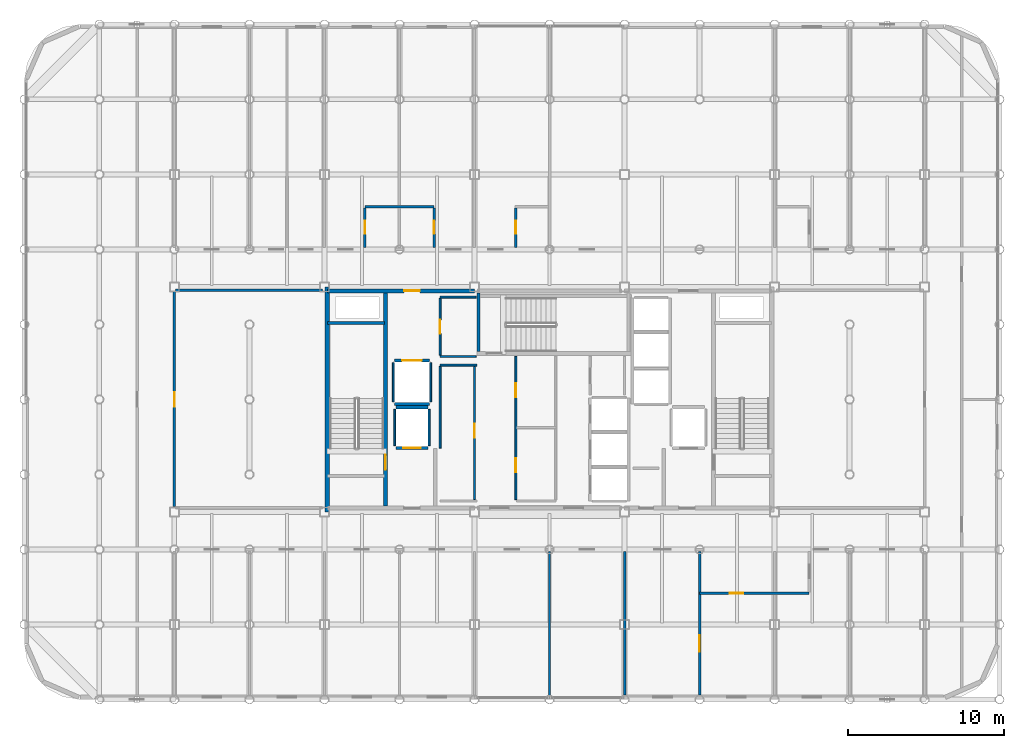
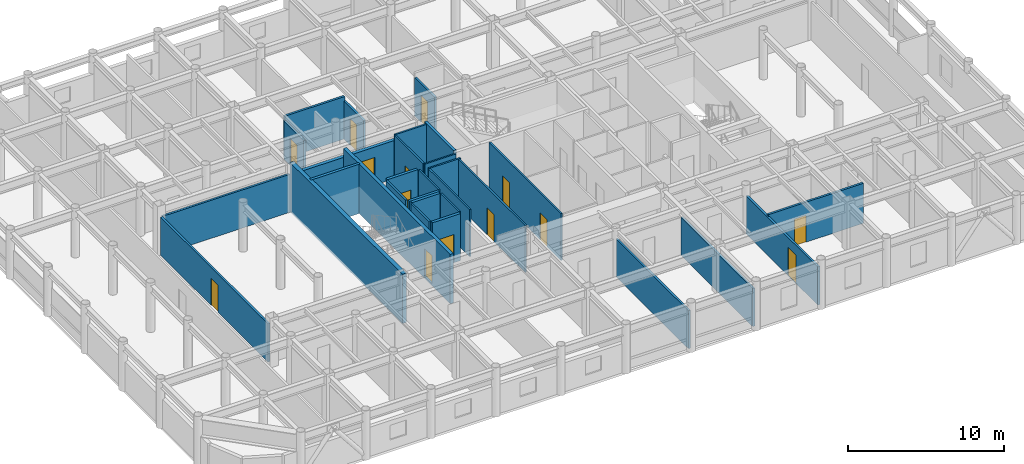
# One storey, part 18 of 22: 30 walls, 14 doors, 14 openings.
"""IFC4 building model written with IfcOpenShell, lengths in metres."""

from ifc_helpers import new_model, si_unit, direction, frame, frame_2d, origin, place, context, subcontext, project, spatial, rectangle, extrude, material, layer, layer_set, type_object, element, fill, save


model = new_model("IFC4")

# Units and contexts
model_context = context("Model", 3, precision=1e-05, world=origin(), true_north=direction((0.0, 1.0)))
body_context = subcontext(model_context, "Body", "Model", "MODEL_VIEW")
ifc_project = project(units=[si_unit("LENGTHUNIT", "METRE"), si_unit("AREAUNIT", "SQUARE_METRE"), si_unit("VOLUMEUNIT", "CUBIC_METRE"), si_unit("PLANEANGLEUNIT", "RADIAN"), si_unit("MASSUNIT", "GRAM", prefix="KILO")], contexts=[model_context])

# Site, building, storey
site_placement = place(None, origin())
site = spatial("IfcSite", under=ifc_project, at=site_placement, CompositionType="ELEMENT")
building_placement = place(site_placement, origin())
building = spatial("IfcBuilding", under=site, at=building_placement, Name="Kallvorn Hotel Tower", CompositionType="ELEMENT")
storey_placement = place(building_placement, frame((0.0, 0.0, 253.10009765625)))
storey = spatial("IfcBuildingStorey", under=building, at=storey_placement, Name="L63", CompositionType="ELEMENT", Elevation=253.10009765625)

# Wall
ifc_material_1 = material(Name="Concrete C50/60", Category="concrete")
ifc_layer_1 = layer(ifc_material_1, 0.300048828125)
ifc_layer_set_1 = layer_set([ifc_layer_1], Name="WL_CORE_300")
wall_type_1 = type_object("IfcWallType", Name="WL_CORE_300", PredefinedType="SHEAR", material=ifc_layer_set_1)
wall_1_placement = place(storey_placement, frame((-14.215087890625, -7.199951171875, -0.18017578125), z_axis=(0.0, 0.0, 1.0), x_axis=(0.0, 1.0, 0.0)))
element("IfcWall", 1, at=wall_1_placement, inside=storey, type_object=wall_type_1, Name="L63 Core West Shear Wall", PredefinedType="SHEAR", context=body_context, shape_type="SweptSolid", body=[
    extrude(rectangle(XDim=14.39990234375, YDim=0.300048828125, at=frame_2d((7.199951171875, 0.0))), origin(), (0.0, 0.0, 1.0), 3.85009765625),
])

# Wall, opening, door
ifc_material_2 = material(Name="Fire-rated double-layer acoustic gypsum drywall EI 60")
ifc_layer_2 = layer(ifc_material_2, 0.159912109375)
ifc_layer_set_2 = layer_set([ifc_layer_2], Name="WL_DEMISE_160")
wall_type_2 = type_object("IfcWallType", Name="WL_DEMISE_160", PredefinedType="PARTITIONING", material=ifc_layer_set_2)
wall_2_placement = place(storey_placement, frame((9.60009765625, -12.39501953125, 0.0), z_axis=(0.0, 0.0, 1.0), x_axis=(1.0, 0.0, 0.0)))
wall_2 = element("IfcWall", 2, at=wall_2_placement, inside=storey, type_object=wall_type_2, Name="L63 Suite 6301 Executive Bedroom Partition", PredefinedType="PARTITIONING", context=body_context, shape_type="SweptSolid", body=[
    extrude(rectangle(XDim=7.010009765625, YDim=0.159912109375, at=frame_2d((3.5048828125, 0.0))), origin(), (0.0, 0.0, 1.0), 3.119873046875),
])
opening_1_placement = place(wall_2_placement, frame((1.929931640625, 0.0, 0.0)))
opening_1 = element("IfcOpeningElement", 3, at=opening_1_placement, cuts=wall_2, Name="Opening BD-I", PredefinedType="OPENING", context=body_context, shape_type="SweptSolid", body=[
    extrude(rectangle(XDim=0.860107421875, YDim=2.10009765625, at=frame_2d((0.43017578125, 1.050048828125))), frame((0.0, 0.094970703125, 0.0), z_axis=(0.0, -1.0, 0.0), x_axis=(1.0, 0.0, 0.0)), (0.0, 0.0, 1.0), 0.18994140625),
])
ifc_material_3 = material(Name="Solid-core walnut veneer fire-rated timber door leaf", Category="wood")
door_type_1 = type_object("IfcDoorType", Name="DR_BATH_860x2100", OperationType="NOTDEFINED", PredefinedType="DOOR", material=ifc_material_3)
door_1_placement = place(opening_1_placement, origin())
door_1 = element("IfcDoor", 4, at=door_1_placement, inside=storey, type_object=door_type_1, Name="L63 Suite 6301 En-Suite Bathroom Door", OperationType="SINGLE_SWING_RIGHT", OverallHeight=2.10009765625, OverallWidth=0.860107421875, PredefinedType="DOOR", context=body_context, shape_type="SweptSolid", body=[
    extrude(rectangle(XDim=0.860107421875, YDim=2.10009765625, at=frame_2d((0.43017578125, 1.050048828125))), frame((0.0, 0.02490234375, 0.0), z_axis=(0.0, -1.0, 0.0), x_axis=(1.0, 0.0, 0.0)), (0.0, 0.0, 1.0), 0.050048828125),
])
fill(opening_1, door_1)

# Wall
wall_3_placement = place(storey_placement, frame((-11.81005859375, 12.320068359375, 0.0), z_axis=(0.0, 0.0, 1.0), x_axis=(1.0, 0.0, 0.0)))
element("IfcWall", 5, at=wall_3_placement, inside=storey, type_object=wall_type_2, Name="L63 Suite 6303 Standard Twin Room Partition", PredefinedType="PARTITIONING", context=body_context, shape_type="SweptSolid", body=[
    extrude(rectangle(XDim=4.420166015625, YDim=0.159912109375, at=frame_2d((2.2099609375, 0.0))), origin(), (0.0, 0.0, 1.0), 3.309814453125),
])

# Wall, opening, door
wall_4_placement = place(storey_placement, frame((-11.81005859375, 9.719970703125, 0.0), z_axis=(0.0, 0.0, 1.0), x_axis=(0.0, 1.0, 0.0)))
wall_4 = element("IfcWall", 6, at=wall_4_placement, inside=storey, type_object=wall_type_2, Name="L63 Suite 6303 Standard Twin Room Partition", PredefinedType="PARTITIONING", context=body_context, shape_type="SweptSolid", body=[
    extrude(rectangle(XDim=2.51513671875, YDim=0.159912109375, at=frame_2d((1.257568359375, 0.0))), origin(), (0.0, 0.0, 1.0), 2.969970703125),
])
opening_2_placement = place(wall_4_placement, frame((0.8701171875, 0.0, 0.0)))
opening_2 = element("IfcOpeningElement", 7, at=opening_2_placement, cuts=wall_4, Name="Opening BD-I", PredefinedType="OPENING", context=body_context, shape_type="SweptSolid", body=[
    extrude(rectangle(XDim=0.860107421875, YDim=2.10009765625, at=frame_2d((0.43017578125, 1.050048828125))), frame((0.0, 0.094970703125, 0.0), z_axis=(0.0, -1.0, 0.0), x_axis=(1.0, 0.0, 0.0)), (0.0, 0.0, 1.0), 0.18994140625),
])
door_2_placement = place(opening_2_placement, origin())
door_2 = element("IfcDoor", 8, at=door_2_placement, inside=storey, type_object=door_type_1, Name="L63 Suite 6303 En-Suite Bathroom Door", OperationType="SINGLE_SWING_RIGHT", OverallHeight=2.10009765625, OverallWidth=0.860107421875, PredefinedType="DOOR", context=body_context, shape_type="SweptSolid", body=[
    extrude(rectangle(XDim=0.860107421875, YDim=2.10009765625, at=frame_2d((0.43017578125, 1.050048828125))), frame((0.0, 0.02490234375, 0.0), z_axis=(0.0, -1.0, 0.0), x_axis=(1.0, 0.0, 0.0)), (0.0, 0.0, 1.0), 0.050048828125),
])
fill(opening_2, door_2)

wall_5_placement = place(storey_placement, frame((-7.389892578125, 9.719970703125, 0.0), z_axis=(0.0, 0.0, 1.0), x_axis=(0.0, 1.0, 0.0)))
wall_5 = element("IfcWall", 9, at=wall_5_placement, inside=storey, type_object=wall_type_2, Name="L63 Suite 6304 Standard Twin Room Partition", PredefinedType="PARTITIONING", context=body_context, shape_type="SweptSolid", body=[
    extrude(rectangle(XDim=2.51513671875, YDim=0.159912109375, at=frame_2d((1.257568359375, 0.0))), origin(), (0.0, 0.0, 1.0), 2.969970703125),
])
opening_3_placement = place(wall_5_placement, frame((0.8701171875, 0.0, 0.0)))
opening_3 = element("IfcOpeningElement", 10, at=opening_3_placement, cuts=wall_5, Name="Opening BD-I", PredefinedType="OPENING", context=body_context, shape_type="SweptSolid", body=[
    extrude(rectangle(XDim=0.860107421875, YDim=2.10009765625, at=frame_2d((0.43017578125, 1.050048828125))), frame((0.0, 0.094970703125, 0.0), z_axis=(0.0, -1.0, 0.0), x_axis=(1.0, 0.0, 0.0)), (0.0, 0.0, 1.0), 0.18994140625),
])
door_3_placement = place(opening_3_placement, origin())
door_3 = element("IfcDoor", 11, at=door_3_placement, inside=storey, type_object=door_type_1, Name="L63 Suite 6304 En-Suite Bathroom Door", OperationType="SINGLE_SWING_RIGHT", OverallHeight=2.10009765625, OverallWidth=0.860107421875, PredefinedType="DOOR", context=body_context, shape_type="SweptSolid", body=[
    extrude(rectangle(XDim=0.860107421875, YDim=2.10009765625, at=frame_2d((0.43017578125, 1.050048828125))), frame((0.0, 0.02490234375, 0.0), z_axis=(0.0, -1.0, 0.0), x_axis=(1.0, 0.0, 0.0)), (0.0, 0.0, 1.0), 0.050048828125),
])
fill(opening_3, door_3)

wall_6_placement = place(storey_placement, frame((-2.155029296875, 9.719970703125, 0.0), z_axis=(0.0, 0.0, 1.0), x_axis=(0.0, 1.0, 0.0)))
wall_6 = element("IfcWall", 12, at=wall_6_placement, inside=storey, type_object=wall_type_2, Name="L63 Suite 6305 Standard Twin Room Partition", PredefinedType="PARTITIONING", context=body_context, shape_type="SweptSolid", body=[
    extrude(rectangle(XDim=2.51513671875, YDim=0.159912109375, at=frame_2d((1.257568359375, 0.0))), origin(), (0.0, 0.0, 1.0), 2.969970703125),
])
opening_4_placement = place(wall_6_placement, frame((0.8701171875, 0.0, 0.0)))
opening_4 = element("IfcOpeningElement", 13, at=opening_4_placement, cuts=wall_6, Name="Opening BD-I", PredefinedType="OPENING", context=body_context, shape_type="SweptSolid", body=[
    extrude(rectangle(XDim=0.860107421875, YDim=2.10009765625, at=frame_2d((0.43017578125, 1.050048828125))), frame((0.0, 0.094970703125, 0.0), z_axis=(0.0, -1.0, 0.0), x_axis=(1.0, 0.0, 0.0)), (0.0, 0.0, 1.0), 0.18994140625),
])
door_4_placement = place(opening_4_placement, origin())
door_4 = element("IfcDoor", 14, at=door_4_placement, inside=storey, type_object=door_type_1, Name="L63 Suite 6305 En-Suite Bathroom Door", OperationType="SINGLE_SWING_LEFT", OverallHeight=2.10009765625, OverallWidth=0.860107421875, PredefinedType="DOOR", context=body_context, shape_type="SweptSolid", body=[
    extrude(rectangle(XDim=0.860107421875, YDim=2.10009765625, at=frame_2d((0.43017578125, 1.050048828125))), frame((0.0, 0.02490234375, 0.0), z_axis=(0.0, -1.0, 0.0), x_axis=(1.0, 0.0, 0.0)), (0.0, 0.0, 1.0), 0.050048828125),
])
fill(opening_4, door_4)

# Wall
wall_7_placement = place(storey_placement, frame((4.800048828125, -18.909912109375, 0.0), z_axis=(0.0, 0.0, 1.0), x_axis=(0.0, 1.0, 0.0)))
element("IfcWall", 15, at=wall_7_placement, inside=storey, type_object=wall_type_2, Name="L63 Suite 6301 Executive Living Salon Partition", PredefinedType="PARTITIONING", context=body_context, shape_type="SweptSolid", body=[
    extrude(rectangle(XDim=9.18994140625, YDim=0.159912109375, at=frame_2d((4.594970703125, 0.0))), origin(), (0.0, 0.0, 1.0), 2.969970703125),
])

# Wall, opening, door
wall_8_placement = place(storey_placement, frame((9.60009765625, -18.909912109375, 0.0), z_axis=(0.0, 0.0, 1.0), x_axis=(0.0, 1.0, 0.0)))
wall_8 = element("IfcWall", 16, at=wall_8_placement, inside=storey, type_object=wall_type_2, Name="L63 Suite 6301 Executive Bedroom Partition", PredefinedType="PARTITIONING", context=body_context, shape_type="SweptSolid", body=[
    extrude(rectangle(XDim=9.18994140625, YDim=0.159912109375, at=frame_2d((4.594970703125, 0.0))), origin(), (0.0, 0.0, 1.0), 2.969970703125),
])
opening_5_placement = place(wall_8_placement, frame((2.77490234375, 0.0, 0.0)))
opening_5 = element("IfcOpeningElement", 17, at=opening_5_placement, cuts=wall_8, Name="Opening GD2", PredefinedType="OPENING", context=body_context, shape_type="SweptSolid", body=[
    extrude(rectangle(XDim=1.050048828125, YDim=2.199951171875, at=frame_2d((0.52490234375, 1.10009765625))), frame((0.0, 0.094970703125, 0.0), z_axis=(0.0, -1.0, 0.0), x_axis=(1.0, 0.0, 0.0)), (0.0, 0.0, 1.0), 0.18994140625),
])
ifc_material_4 = material(Name="Solid-core walnut veneer fire-rated timber door leaf", Category="wood")
door_type_2 = type_object("IfcDoorType", Name="DR_SUITE_1050x2200", OperationType="NOTDEFINED", PredefinedType="DOOR", material=ifc_material_4)
door_5_placement = place(opening_5_placement, origin())
door_5 = element("IfcDoor", 18, at=door_5_placement, inside=storey, type_object=door_type_2, Name="L63 Suite 6301 Executive Bedroom Door", OperationType="SINGLE_SWING_LEFT", OverallHeight=2.199951171875, OverallWidth=1.050048828125, PredefinedType="DOOR", context=body_context, shape_type="SweptSolid", body=[
    extrude(rectangle(XDim=1.050048828125, YDim=2.199951171875, at=frame_2d((0.52490234375, 1.10009765625))), frame((0.0, 0.02490234375, 0.0), z_axis=(0.0, -1.0, 0.0), x_axis=(1.0, 0.0, 0.0)), (0.0, 0.0, 1.0), 0.050048828125),
])
fill(opening_5, door_5)

# Walls
ifc_material_5 = material(Name="Concrete C40/50", Category="concrete")
ifc_layer_3 = layer(ifc_material_5, 0.199951171875)
ifc_layer_set_3 = layer_set([ifc_layer_3], Name="WL_HOIST_200")
wall_type_3 = type_object("IfcWallType", Name="WL_HOIST_200", PredefinedType="SOLIDWALL", material=ifc_layer_set_3)
wall_9_placement = place(storey_placement, frame((-14.199951171875, 4.89990234375, -0.18017578125), z_axis=(0.0, 0.0, 1.0), x_axis=(1.0, 0.0, 0.0)))
element("IfcWall", 19, at=wall_9_placement, inside=storey, type_object=wall_type_3, Name="L63 Stair ST1 North Wall", PredefinedType="SOLIDWALL", context=body_context, shape_type="SweptSolid", body=[
    extrude(rectangle(XDim=3.64990234375, YDim=0.199951171875, at=frame_2d((1.824951171875, 0.0))), origin(), (0.0, 0.0, 1.0), 3.85009765625),
])
wall_10_placement = place(storey_placement, frame((-4.550048828125, 3.080078125, -0.18017578125), z_axis=(0.0, 0.0, 1.0), x_axis=(0.0, 1.0, 0.0)))
element("IfcWall", 20, at=wall_10_placement, inside=storey, type_object=wall_type_3, Name="L63 Stair ST3 West Wall", PredefinedType="SOLIDWALL", context=body_context, shape_type="SweptSolid", body=[
    extrude(rectangle(XDim=3.739990234375, YDim=0.199951171875, at=frame_2d((1.8701171875, 0.0))), origin(), (0.0, 0.0, 1.0), 3.85009765625),
])

# Wall, opening, door
wall_11_placement = place(storey_placement, frame((-9.820068359375, -3.10009765625, 0.0), z_axis=(0.0, 0.0, 1.0), x_axis=(1.0, 0.0, 0.0)))
wall_11 = element("IfcWall", 21, at=wall_11_placement, inside=storey, type_object=wall_type_3, Name="L63 FL-1 Landing Wall", PredefinedType="SOLIDWALL", context=body_context, shape_type="SweptSolid", body=[
    extrude(rectangle(XDim=2.0400390625, YDim=0.199951171875, at=frame_2d((1.02001953125, 0.0))), origin(), (0.0, 0.0, 1.0), 3.669921875),
])
opening_6_placement = place(wall_11_placement, frame((0.469970703125, 0.0, 0.0)))
opening_6 = element("IfcOpeningElement", 22, at=opening_6_placement, cuts=wall_11, Name="Opening LD-FL-1", PredefinedType="OPENING", context=body_context, shape_type="SweptSolid", body=[
    extrude(rectangle(XDim=1.10009765625, YDim=2.199951171875, at=frame_2d((0.550048828125, 1.10009765625))), frame((0.0, 0.114990234375, 0.0), z_axis=(0.0, -1.0, 0.0), x_axis=(1.0, 0.0, 0.0)), (0.0, 0.0, 1.0), 0.22998046875),
])
ifc_material_6 = material(Name="Brushed stainless-steel automatic sliding lift landing door", Category="steel")
door_type_3 = type_object("IfcDoorType", Name="LD_PASS_1100x2200", OperationType="SLIDING_TO_LEFT", PredefinedType="DOOR", material=ifc_material_6)
door_6_placement = place(opening_6_placement, origin())
door_6 = element("IfcDoor", 23, at=door_6_placement, inside=storey, type_object=door_type_3, Name="L63 Lift Landing Sliding Door LD-FL-1", OperationType="SLIDING_TO_LEFT", OverallHeight=2.199951171875, OverallWidth=1.10009765625, PredefinedType="DOOR", context=body_context, shape_type="SweptSolid", body=[
    extrude(rectangle(XDim=1.10009765625, YDim=2.199951171875, at=frame_2d((0.550048828125, 1.10009765625))), frame((0.0, 0.02490234375, 0.0), z_axis=(0.0, -1.0, 0.0), x_axis=(1.0, 0.0, 0.0)), (0.0, 0.0, 1.0), 0.050048828125),
])
fill(opening_6, door_6)

# Wall
wall_12_placement = place(storey_placement, frame((-9.820068359375, -0.5, 0.0), z_axis=(0.0, 0.0, 1.0), x_axis=(1.0, 0.0, 0.0)))
element("IfcWall", 24, at=wall_12_placement, inside=storey, type_object=wall_type_3, Name="L63 FL-1 Rear Shaft Wall", PredefinedType="SOLIDWALL", context=body_context, shape_type="SweptSolid", body=[
    extrude(rectangle(XDim=2.0400390625, YDim=0.199951171875, at=frame_2d((1.02001953125, 0.0))), origin(), (0.0, 0.0, 1.0), 3.669921875),
])

# Wall, opening, door
wall_13_placement = place(storey_placement, frame((-9.919921875, 2.5, 0.0), z_axis=(0.0, 0.0, 1.0), x_axis=(1.0, 0.0, 0.0)))
wall_13 = element("IfcWall", 25, at=wall_13_placement, inside=storey, type_object=wall_type_3, Name="L63 SV-01 Landing Wall", PredefinedType="SOLIDWALL", context=body_context, shape_type="SweptSolid", body=[
    extrude(rectangle(XDim=2.239990234375, YDim=0.199951171875, at=frame_2d((1.1201171875, 0.0))), origin(), (0.0, 0.0, 1.0), 3.669921875),
])
opening_7_placement = place(wall_13_placement, frame((0.4951171875, 0.0, 0.0)))
opening_7 = element("IfcOpeningElement", 26, at=opening_7_placement, cuts=wall_13, Name="Opening LD-SV-01", PredefinedType="OPENING", context=body_context, shape_type="SweptSolid", body=[
    extrude(rectangle(XDim=1.25, YDim=2.25, at=frame_2d((0.625, 1.125))), frame((0.0, 0.114990234375, 0.0), z_axis=(0.0, -1.0, 0.0), x_axis=(1.0, 0.0, 0.0)), (0.0, 0.0, 1.0), 0.22998046875),
])
ifc_material_7 = material(Name="Brushed stainless-steel automatic sliding lift landing door", Category="steel")
door_type_4 = type_object("IfcDoorType", Name="LD_SERV_1250x2250", OperationType="SLIDING_TO_LEFT", PredefinedType="DOOR", material=ifc_material_7)
door_7_placement = place(opening_7_placement, origin())
door_7 = element("IfcDoor", 27, at=door_7_placement, inside=storey, type_object=door_type_4, Name="L63 Lift Landing Sliding Door LD-SV-01", OperationType="SLIDING_TO_LEFT", OverallHeight=2.25, OverallWidth=1.25, PredefinedType="DOOR", context=body_context, shape_type="SweptSolid", body=[
    extrude(rectangle(XDim=1.25, YDim=2.25, at=frame_2d((0.625, 1.125))), frame((0.0, 0.02490234375, 0.0), z_axis=(0.0, -1.0, 0.0), x_axis=(1.0, 0.0, 0.0)), (0.0, 0.0, 1.0), 0.050048828125),
])
fill(opening_7, door_7)

# Walls
wall_14_placement = place(storey_placement, frame((-9.919921875, -0.300048828125, 0.0), z_axis=(0.0, 0.0, 1.0), x_axis=(1.0, 0.0, 0.0)))
element("IfcWall", 28, at=wall_14_placement, inside=storey, type_object=wall_type_3, Name="L63 SV-01 Rear Shaft Wall", PredefinedType="SOLIDWALL", context=body_context, shape_type="SweptSolid", body=[
    extrude(rectangle(XDim=2.239990234375, YDim=0.199951171875, at=frame_2d((1.1201171875, 0.0))), origin(), (0.0, 0.0, 1.0), 3.669921875),
])
ifc_material_8 = material(Name="Fire-rated double-layer acoustic gypsum drywall EI 60")
ifc_layer_4 = layer(ifc_material_8, 0.1201171875)
ifc_layer_set_4 = layer_set([ifc_layer_4], Name="WL_INT_120")
wall_type_4 = type_object("IfcWallType", Name="WL_INT_120", PredefinedType="PARTITIONING", material=ifc_layer_set_4)
for number, where, z_axis, x_axis, name in (
    (29, (-9.89990234375, -2.9599609375, 0.0), (0.0, 0.0, 1.0), (0.0, 1.0, 0.0), "L63 FL-1 West Shaft Wall"),
    (30, (-7.699951171875, -2.9599609375, 0.0), (0.0, 0.0, 1.0), (0.0, 1.0, 0.0), "L63 FL-1 East Shaft Wall"),
):
    element("IfcWall", number, at=place(storey_placement, frame(where, z_axis=z_axis, x_axis=x_axis)), inside=storey, type_object=wall_type_4, Name=name, PredefinedType="PARTITIONING", context=body_context, shape_type="SweptSolid", body=[
        extrude(rectangle(XDim=2.320068359375, YDim=0.1201171875, at=frame_2d((1.16015625, 0.0))), origin(), (0.0, 0.0, 1.0), 3.669921875),
    ])
for number, where, z_axis, x_axis, name in (
    (31, (-10.0, -0.159912109375, 0.0), (0.0, 0.0, 1.0), (0.0, 1.0, 0.0), "L63 SV-01 West Shaft Wall"),
    (32, (-7.60009765625, -0.159912109375, 0.0), (0.0, 0.0, 1.0), (0.0, 1.0, 0.0), "L63 SV-01 East Shaft Wall"),
):
    element("IfcWall", number, at=place(storey_placement, frame(where, z_axis=z_axis, x_axis=x_axis)), inside=storey, type_object=wall_type_4, Name=name, PredefinedType="PARTITIONING", context=body_context, shape_type="SweptSolid", body=[
        extrude(rectangle(XDim=2.52001953125, YDim=0.1201171875, at=frame_2d((1.260009765625, 0.0))), origin(), (0.0, 0.0, 1.0), 3.669921875),
    ])
wall_15_placement = place(storey_placement, frame((-7.0, 2.199951171875, 0.0), z_axis=(0.0, 0.0, 1.0), x_axis=(1.0, 0.0, 0.0)))
element("IfcWall", 33, at=wall_15_placement, inside=storey, type_object=wall_type_4, Name="L63 Recaptured Butler and Room-Service Pantry Partition", PredefinedType="PARTITIONING", context=body_context, shape_type="SweptSolid", body=[
    extrude(rectangle(XDim=2.35009765625, YDim=0.1201171875, at=frame_2d((1.175048828125, 0.0))), origin(), (0.0, 0.0, 1.0), 3.669921875),
])
for number, where, z_axis, x_axis, name in (
    (34, (-7.0, 2.75, 0.0), (0.0, 0.0, 1.0), (1.0, 0.0, 0.0), "L63 Recaptured Valet and Linen Reserve Store Partition"),
    (35, (-7.0, 6.550048828125, 0.0), (0.0, 0.0, 1.0), (1.0, 0.0, 0.0), "L63 Recaptured Valet and Linen Reserve Store Partition"),
):
    element("IfcWall", number, at=place(storey_placement, frame(where, z_axis=z_axis, x_axis=x_axis)), inside=storey, type_object=wall_type_4, Name=name, PredefinedType="PARTITIONING", context=body_context, shape_type="SweptSolid", body=[
        extrude(rectangle(XDim=2.31005859375, YDim=0.1201171875, at=frame_2d((1.155029296875, 0.0))), origin(), (0.0, 0.0, 1.0), 3.669921875),
    ])
wall_16_placement = place(storey_placement, frame((-7.0, -3.110107421875, 0.0), z_axis=(0.0, 0.0, 1.0), x_axis=(0.0, 1.0, 0.0)))
element("IfcWall", 36, at=wall_16_placement, inside=storey, type_object=wall_type_4, Name="L63 Recaptured Butler and Room-Service Pantry Partition", PredefinedType="PARTITIONING", context=body_context, shape_type="SweptSolid", body=[
    extrude(rectangle(XDim=5.22509765625, YDim=0.1201171875, at=frame_2d((2.612548828125, 0.0))), origin(), (0.0, 0.0, 1.0), 3.669921875),
])

# Wall, opening, door
wall_17_placement = place(storey_placement, frame((-7.0, 2.8349609375, 0.0), z_axis=(0.0, 0.0, 1.0), x_axis=(0.0, 1.0, 0.0)))
wall_17 = element("IfcWall", 37, at=wall_17_placement, inside=storey, type_object=wall_type_4, Name="L63 Recaptured Valet and Linen Reserve Store Partition", PredefinedType="PARTITIONING", context=body_context, shape_type="SweptSolid", body=[
    extrude(rectangle(XDim=3.630126953125, YDim=0.1201171875, at=frame_2d((1.81494140625, 0.0))), origin(), (0.0, 0.0, 1.0), 3.669921875),
])
opening_8_placement = place(wall_17_placement, frame((1.364990234375, 0.0, 0.0)))
opening_8 = element("IfcOpeningElement", 38, at=opening_8_placement, cuts=wall_17, Name="Opening SVD1", PredefinedType="OPENING", context=body_context, shape_type="SweptSolid", body=[
    extrude(rectangle(XDim=0.89990234375, YDim=2.10009765625, at=frame_2d((0.449951171875, 1.050048828125))), frame((0.0, 0.074951171875, 0.0), z_axis=(0.0, -1.0, 0.0), x_axis=(1.0, 0.0, 0.0)), (0.0, 0.0, 1.0), 0.150146484375),
])
ifc_material_9 = material(Name="Galvanised painted steel fire-rated door assembly", Category="steel")
door_type_5 = type_object("IfcDoorType", Name="DR_SERV_900x2100", OperationType="NOTDEFINED", PredefinedType="DOOR", material=ifc_material_9)
door_8_placement = place(opening_8_placement, origin())
door_8 = element("IfcDoor", 39, at=door_8_placement, inside=storey, type_object=door_type_5, Name="L63 Recaptured Valet and Linen Reserve Store Door", OperationType="SINGLE_SWING_LEFT", OverallHeight=2.10009765625, OverallWidth=0.89990234375, PredefinedType="DOOR", context=body_context, shape_type="SweptSolid", body=[
    extrude(rectangle(XDim=0.89990234375, YDim=2.10009765625, at=frame_2d((0.449951171875, 1.050048828125))), frame((0.0, 0.02490234375, 0.0), z_axis=(0.0, -1.0, 0.0), x_axis=(1.0, 0.0, 0.0)), (0.0, 0.0, 1.0), 0.050048828125),
])
fill(opening_8, door_8)

wall_18_placement = place(storey_placement, frame((-4.800048828125, -6.4150390625, 0.0), z_axis=(0.0, 0.0, 1.0), x_axis=(0.0, 1.0, 0.0)))
wall_18 = element("IfcWall", 40, at=wall_18_placement, inside=storey, type_object=wall_type_4, Name="L63 Recaptured Butler and Room-Service Pantry Partition", PredefinedType="PARTITIONING", context=body_context, shape_type="SweptSolid", body=[
    extrude(rectangle(XDim=8.530029296875, YDim=0.1201171875, at=frame_2d((4.26513671875, 0.0))), origin(), (0.0, 0.0, 1.0), 3.669921875),
])
opening_9_placement = place(wall_18_placement, frame((3.965087890625, 0.0, 0.0)))
opening_9 = element("IfcOpeningElement", 41, at=opening_9_placement, cuts=wall_18, Name="Opening SVD1", PredefinedType="OPENING", context=body_context, shape_type="SweptSolid", body=[
    extrude(rectangle(XDim=0.89990234375, YDim=2.10009765625, at=frame_2d((0.449951171875, 1.050048828125))), frame((0.0, 0.074951171875, 0.0), z_axis=(0.0, -1.0, 0.0), x_axis=(1.0, 0.0, 0.0)), (0.0, 0.0, 1.0), 0.150146484375),
])
door_9_placement = place(opening_9_placement, origin())
door_9 = element("IfcDoor", 42, at=door_9_placement, inside=storey, type_object=door_type_5, Name="L63 Recaptured Butler and Room-Service Pantry Door", OperationType="SINGLE_SWING_LEFT", OverallHeight=2.10009765625, OverallWidth=0.89990234375, PredefinedType="DOOR", context=body_context, shape_type="SweptSolid", body=[
    extrude(rectangle(XDim=0.89990234375, YDim=2.10009765625, at=frame_2d((0.449951171875, 1.050048828125))), frame((0.0, 0.02490234375, 0.0), z_axis=(0.0, -1.0, 0.0), x_axis=(1.0, 0.0, 0.0)), (0.0, 0.0, 1.0), 0.050048828125),
])
fill(opening_9, door_9)

# Wall, openings, doors
wall_19_placement = place(storey_placement, frame((-2.155029296875, -6.4150390625, 0.0), z_axis=(0.0, 0.0, 1.0), x_axis=(0.0, 1.0, 0.0)))
wall_19 = element("IfcWall", 43, at=wall_19_placement, inside=storey, type_object=wall_type_4, Name="L63 High-Zone Sommelier and Beverage Pantry Partition", PredefinedType="PARTITIONING", context=body_context, shape_type="SweptSolid", body=[
    extrude(rectangle(XDim=9.1650390625, YDim=0.1201171875, at=frame_2d((4.58251953125, 0.0))), origin(), (0.0, 0.0, 1.0), 3.669921875),
])
opening_10_placement = place(wall_19_placement, frame((1.764892578125, 0.0, 0.0)))
opening_10 = element("IfcOpeningElement", 44, at=opening_10_placement, cuts=wall_19, Name="Opening SVD1", PredefinedType="OPENING", context=body_context, shape_type="SweptSolid", body=[
    extrude(rectangle(XDim=0.89990234375, YDim=2.10009765625, at=frame_2d((0.449951171875, 1.050048828125))), frame((0.0, 0.074951171875, 0.0), z_axis=(0.0, -1.0, 0.0), x_axis=(1.0, 0.0, 0.0)), (0.0, 0.0, 1.0), 0.150146484375),
])
opening_11_placement = place(wall_19_placement, frame((6.56494140625, 0.0, 0.0)))
opening_11 = element("IfcOpeningElement", 45, at=opening_11_placement, cuts=wall_19, Name="Opening SVD1", PredefinedType="OPENING", context=body_context, shape_type="SweptSolid", body=[
    extrude(rectangle(XDim=0.89990234375, YDim=2.10009765625, at=frame_2d((0.449951171875, 1.050048828125))), frame((0.0, 0.074951171875, 0.0), z_axis=(0.0, -1.0, 0.0), x_axis=(1.0, 0.0, 0.0)), (0.0, 0.0, 1.0), 0.150146484375),
])
door_10_placement = place(opening_10_placement, origin())
door_10 = element("IfcDoor", 46, at=door_10_placement, inside=storey, type_object=door_type_5, Name="L63 High-Zone Sommelier and Beverage Pantry Door", OperationType="SINGLE_SWING_LEFT", OverallHeight=2.10009765625, OverallWidth=0.89990234375, PredefinedType="DOOR", context=body_context, shape_type="SweptSolid", body=[
    extrude(rectangle(XDim=0.89990234375, YDim=2.10009765625, at=frame_2d((0.449951171875, 1.050048828125))), frame((0.0, 0.02490234375, 0.0), z_axis=(0.0, -1.0, 0.0), x_axis=(1.0, 0.0, 0.0)), (0.0, 0.0, 1.0), 0.050048828125),
])
fill(opening_10, door_10)
door_11_placement = place(opening_11_placement, origin())
door_11 = element("IfcDoor", 47, at=door_11_placement, inside=storey, type_object=door_type_5, Name="L63 High-Zone Housekeeping Reserve Store Door", OperationType="SINGLE_SWING_LEFT", OverallHeight=2.10009765625, OverallWidth=0.89990234375, PredefinedType="DOOR", context=body_context, shape_type="SweptSolid", body=[
    extrude(rectangle(XDim=0.89990234375, YDim=2.10009765625, at=frame_2d((0.449951171875, 1.050048828125))), frame((0.0, 0.02490234375, 0.0), z_axis=(0.0, -1.0, 0.0), x_axis=(1.0, 0.0, 0.0)), (0.0, 0.0, 1.0), 0.050048828125),
])
fill(opening_11, door_11)

# Wall
ifc_material_10 = material(Name="Fire-rated double-layer acoustic gypsum drywall EI 60")
ifc_layer_5 = layer(ifc_material_10, 0.14990234375)
ifc_layer_set_5 = layer_set([ifc_layer_5], Name="WL_PART_150")
wall_type_5 = type_object("IfcWallType", Name="WL_PART_150", PredefinedType="PARTITIONING", material=ifc_layer_set_5)
wall_20_placement = place(storey_placement, frame((-23.919921875, 6.97998046875, 0.0), z_axis=(0.0, 0.0, 1.0), x_axis=(1.0, 0.0, 0.0)))
element("IfcWall", 48, at=wall_20_placement, inside=storey, type_object=wall_type_5, Name="L63 L63 High-Zone Inner West Club Bar Partition", PredefinedType="PARTITIONING", context=body_context, shape_type="SweptSolid", body=[
    extrude(rectangle(XDim=9.39990234375, YDim=0.14990234375, at=frame_2d((4.699951171875, 0.0))), origin(), (0.0, 0.0, 1.0), 2.969970703125),
])

# Wall, opening, door
wall_21_placement = place(storey_placement, frame((-24.0, -6.8349609375, 0.0), z_axis=(0.0, 0.0, 1.0), x_axis=(0.0, 1.0, 0.0)))
wall_21 = element("IfcWall", 49, at=wall_21_placement, inside=storey, type_object=wall_type_5, Name="L63 L63 High-Zone Inner West Club Bar Partition", PredefinedType="PARTITIONING", context=body_context, shape_type="SweptSolid", body=[
    extrude(rectangle(XDim=13.72998046875, YDim=0.14990234375, at=frame_2d((6.864990234375, 0.0))), origin(), (0.0, 0.0, 1.0), 2.969970703125),
])
opening_12_placement = place(wall_21_placement, frame((6.385009765625, 0.0, 0.0)))
opening_12 = element("IfcOpeningElement", 50, at=opening_12_placement, cuts=wall_21, Name="Opening SVD1", PredefinedType="OPENING", context=body_context, shape_type="SweptSolid", body=[
    extrude(rectangle(XDim=0.89990234375, YDim=2.10009765625, at=frame_2d((0.449951171875, 1.050048828125))), frame((0.0, 0.08984375, 0.0), z_axis=(0.0, -1.0, 0.0), x_axis=(1.0, 0.0, 0.0)), (0.0, 0.0, 1.0), 0.179931640625),
])
door_12_placement = place(opening_12_placement, origin())
door_12 = element("IfcDoor", 51, at=door_12_placement, inside=storey, type_object=door_type_5, Name="L63 L63 High-Zone Inner West Club Bar Door", OperationType="SINGLE_SWING_RIGHT", OverallHeight=2.10009765625, OverallWidth=0.89990234375, PredefinedType="DOOR", context=body_context, shape_type="SweptSolid", body=[
    extrude(rectangle(XDim=0.89990234375, YDim=2.10009765625, at=frame_2d((0.449951171875, 1.050048828125))), frame((0.0, 0.02490234375, 0.0), z_axis=(0.0, -1.0, 0.0), x_axis=(1.0, 0.0, 0.0)), (0.0, 0.0, 1.0), 0.050048828125),
])
fill(opening_12, door_12)

# Wall
wall_22_placement = place(storey_placement, frame((0.0, -18.9951171875, 0.0), z_axis=(0.0, 0.0, 1.0), x_axis=(0.0, 1.0, 0.0)))
element("IfcWall", 52, at=wall_22_placement, inside=storey, type_object=wall_type_5, Name="L63 L63 Diplomatic Summit Conference Boardroom 2-1 Partition", PredefinedType="PARTITIONING", context=body_context, shape_type="SweptSolid", body=[
    extrude(rectangle(XDim=9.275146484375, YDim=0.14990234375, at=frame_2d((4.6376953125, 0.0))), origin(), (0.0, 0.0, 1.0), 2.969970703125),
])

# Wall, opening, door
ifc_material_11 = material(Name="Concrete C40/50", Category="concrete")
ifc_layer_6 = layer(ifc_material_11, 0.25)
ifc_layer_set_6 = layer_set([ifc_layer_6], Name="WL_SHAFT_250")
wall_type_6 = type_object("IfcWallType", Name="WL_SHAFT_250", PredefinedType="SOLIDWALL", material=ifc_layer_set_6)
wall_23_placement = place(storey_placement, frame((-14.199951171875, 6.949951171875, 0.0), z_axis=(0.0, 0.0, 1.0), x_axis=(1.0, 0.0, 0.0)))
wall_23 = element("IfcWall", 53, at=wall_23_placement, inside=storey, type_object=wall_type_6, Name="L63 Core North-West Wall", PredefinedType="SOLIDWALL", context=body_context, shape_type="SweptSolid", body=[
    extrude(rectangle(XDim=9.39990234375, YDim=0.25, at=frame_2d((4.699951171875, 0.0))), origin(), (0.0, 0.0, 1.0), 2.969970703125),
])
opening_13_placement = place(wall_23_placement, frame((4.89990234375, 0.0, 0.0)))
opening_13 = element("IfcOpeningElement", 54, at=opening_13_placement, cuts=wall_23, Name="Opening FD1", PredefinedType="OPENING", context=body_context, shape_type="SweptSolid", body=[
    extrude(rectangle(XDim=1.0, YDim=2.14990234375, at=frame_2d((0.5, 1.074951171875))), frame((0.0, 0.139892578125, 0.0), z_axis=(0.0, -1.0, 0.0), x_axis=(1.0, 0.0, 0.0)), (0.0, 0.0, 1.0), 0.280029296875),
])
ifc_material_12 = material(Name="Galvanised painted steel fire-rated door assembly", Category="steel")
door_type_6 = type_object("IfcDoorType", Name="DR_FFL_1000x2150", OperationType="NOTDEFINED", PredefinedType="DOOR", material=ifc_material_12)
door_13_placement = place(opening_13_placement, origin())
door_13 = element("IfcDoor", 55, at=door_13_placement, inside=storey, type_object=door_type_6, Name="L63 Service Lift Lobby Door", OperationType="SINGLE_SWING_LEFT", OverallHeight=2.14990234375, OverallWidth=1.0, PredefinedType="DOOR", context=body_context, shape_type="SweptSolid", body=[
    extrude(rectangle(XDim=1.0, YDim=2.14990234375, at=frame_2d((0.5, 1.074951171875))), frame((0.0, 0.02490234375, 0.0), z_axis=(0.0, -1.0, 0.0), x_axis=(1.0, 0.0, 0.0)), (0.0, 0.0, 1.0), 0.050048828125),
])
fill(opening_13, door_13)

wall_24_placement = place(storey_placement, frame((-10.5, -6.820068359375, -0.18017578125), z_axis=(0.0, 0.0, 1.0), x_axis=(0.0, 1.0, 0.0)))
wall_24 = element("IfcWall", 56, at=wall_24_placement, inside=storey, type_object=wall_type_6, Name="L63 Stair ST1 Shaft Wall", PredefinedType="SOLIDWALL", context=body_context, shape_type="SweptSolid", body=[
    extrude(rectangle(XDim=13.64013671875, YDim=0.25, at=frame_2d((6.820068359375, 0.0))), origin(), (0.0, 0.0, 1.0), 3.85009765625),
])
opening_14_placement = place(wall_24_placement, frame((2.320068359375, 0.0, 0.179931640625)))
opening_14 = element("IfcOpeningElement", 57, at=opening_14_placement, cuts=wall_24, Name="Opening SD1", PredefinedType="OPENING", context=body_context, shape_type="SweptSolid", body=[
    extrude(rectangle(XDim=0.949951171875, YDim=2.14990234375, at=frame_2d((0.47509765625, 1.074951171875))), frame((0.0, 0.139892578125, 0.0), z_axis=(0.0, -1.0, 0.0), x_axis=(1.0, 0.0, 0.0)), (0.0, 0.0, 1.0), 0.280029296875),
])
ifc_material_13 = material(Name="Galvanised painted steel fire-rated door assembly", Category="steel")
door_type_7 = type_object("IfcDoorType", Name="DR_STAIR_950x2150", OperationType="NOTDEFINED", PredefinedType="DOOR", material=ifc_material_13)
door_14_placement = place(opening_14_placement, origin())
door_14 = element("IfcDoor", 58, at=door_14_placement, inside=storey, type_object=door_type_7, Name="L63 Exit Stair ST1 Fire Door", OperationType="SINGLE_SWING_LEFT", OverallHeight=2.14990234375, OverallWidth=0.949951171875, PredefinedType="DOOR", context=body_context, shape_type="SweptSolid", body=[
    extrude(rectangle(XDim=0.949951171875, YDim=2.14990234375, at=frame_2d((0.47509765625, 1.074951171875))), frame((0.0, 0.02490234375, 0.0), z_axis=(0.0, -1.0, 0.0), x_axis=(1.0, 0.0, 0.0)), (0.0, 0.0, 1.0), 0.050048828125),
])
fill(opening_14, door_14)

save(model, "model.ifc")
